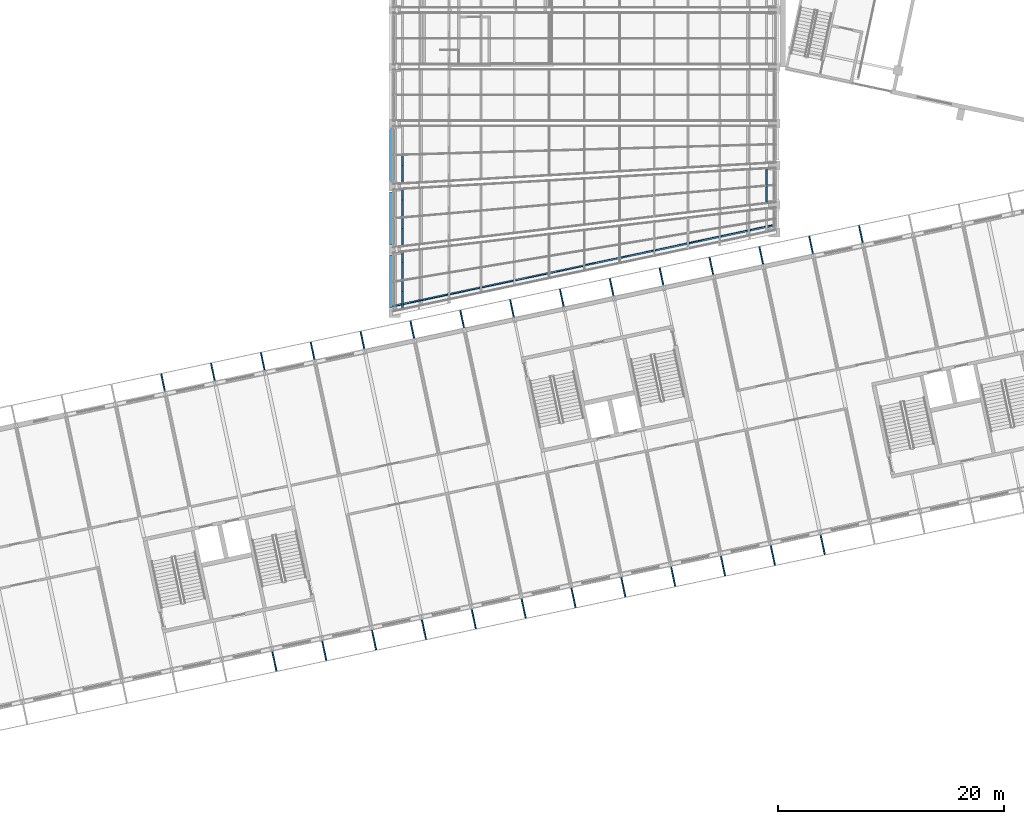
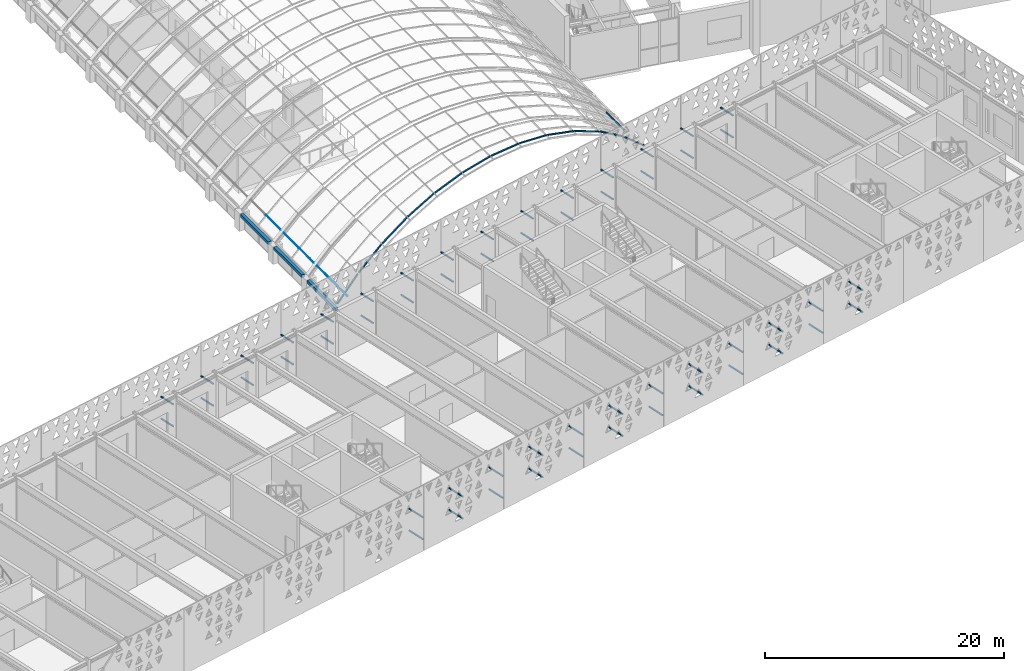
# One storey, part 153 of 182: 76 discrete accessories.
"""IFC4 building model written with IfcOpenShell, lengths in metres."""

import ifcopenshell
import ifcopenshell.guid

model = None  # the IFC model being written
_history = None  # IfcOwnerHistory: only IFC2X3 demands one
_inside = {}  # id of a spatial element -> (the spatial element, [elements in it])
_under = {}  # id of a project, library or spatial element -> (it, [spatial elements below it])
_declared = {}  # id of a project -> (the project, [libraries it declares])
_typed = {}  # id of a type object -> (the type object, [elements of that type])
_made_of = {}  # id of a material, layer set ... -> (it, [elements and type objects made of it])


def new_model(schema):
    """Start an empty IFC model of exactly this schema.

    Asked for "IFC4X3", IfcOpenShell would pick the latest addendum, in which some entities
    have other attributes; the version numbers below select the first issue.
    IFC2X3 requires an IfcOwnerHistory on every rooted entity: one is made here for all.
    """
    global model, _history
    if schema == "IFC4X3":
        model = ifcopenshell.file(schema_version=(4, 3, 0, 0))
    else:
        model = ifcopenshell.file(schema=schema)
    _inside.clear()
    _under.clear()
    _declared.clear()
    _typed.clear()
    _made_of.clear()
    _history = None
    if model.schema == "IFC2X3":
        org = make("IfcOrganization", Name="unknown")
        user = make(
            "IfcPersonAndOrganization",
            ThePerson=make("IfcPerson", FamilyName="unknown"),
            TheOrganization=org,
        )
        app = make(
            "IfcApplication",
            ApplicationDeveloper=org,
            Version="unknown",
            ApplicationFullName="unknown",
            ApplicationIdentifier="unknown",
        )
        _history = make(
            "IfcOwnerHistory",
            OwningUser=user,
            OwningApplication=app,
            ChangeAction="ADDED",
            CreationDate=0,
        )
    return model


def make(cls, **values):
    """One entity of the class cls with the attributes given. An attribute that is None is left unset."""
    return model.create_entity(
        cls, **{name: value for name, value in values.items() if value is not None}
    )


def rooted(cls, **values):
    """An entity with a GlobalId (a new one), such as an element, a storey or a relation."""
    return make(cls, GlobalId=ifcopenshell.guid.new(), OwnerHistory=_history, **values)


def si_unit(unit_type, name, prefix=None):
    """IfcSIUnit, for example si_unit("LENGTHUNIT", "METRE", prefix="MILLI")."""
    return make("IfcSIUnit", UnitType=unit_type, Prefix=prefix, Name=name)


def assignment(units):
    """IfcUnitAssignment: the units of a project."""
    return None if units is None else make("IfcUnitAssignment", Units=units)


def point(xyz):
    """IfcCartesianPoint."""
    return None if xyz is None else make("IfcCartesianPoint", Coordinates=xyz)


def direction(xyz):
    """IfcDirection."""
    return None if xyz is None else make("IfcDirection", DirectionRatios=xyz)


def frame(location, z_axis=None, x_axis=None):
    """IfcAxis2Placement3D, a coordinate frame: its origin and axes. An axis left out is left unset."""
    return make(
        "IfcAxis2Placement3D",
        Location=point(location),
        Axis=direction(z_axis),
        RefDirection=direction(x_axis),
    )


def frame_2d(location, x_axis=None):
    """IfcAxis2Placement2D, a coordinate frame in the plane: its origin and x axis."""
    return make(
        "IfcAxis2Placement2D", Location=point(location), RefDirection=direction(x_axis)
    )


def origin():
    """The frame at (0, 0, 0) with its axes left unset."""
    return frame((0.0, 0.0, 0.0))


def origin_2d():
    """The frame at (0, 0) in the plane with its x axis left unset."""
    return frame_2d((0.0, 0.0))


def place(relative_to, where):
    """IfcLocalPlacement: puts the frame where relative to a parent placement (None: the world)."""
    return make(
        "IfcLocalPlacement", PlacementRelTo=relative_to, RelativePlacement=where
    )


def context(
    kind, dimensions, precision=None, world=None, true_north=None, identifier=None
):
    """IfcGeometricRepresentationContext, for example the 3D "Model" context."""
    return make(
        "IfcGeometricRepresentationContext",
        ContextIdentifier=identifier,
        ContextType=kind,
        CoordinateSpaceDimension=dimensions,
        Precision=precision,
        WorldCoordinateSystem=world,
        TrueNorth=true_north,
    )


def subcontext(parent, identifier, kind, view, scale=None):
    """IfcGeometricRepresentationSubContext, for example "Body" below "Model"."""
    return make(
        "IfcGeometricRepresentationSubContext",
        ContextIdentifier=identifier,
        ContextType=kind,
        ParentContext=parent,
        TargetScale=scale,
        TargetView=view,
    )


def project(units=None, contexts=None):
    """IfcProject with its units and contexts."""
    return rooted(
        "IfcProject",
        Name="project",
        RepresentationContexts=contexts,
        UnitsInContext=assignment(units),
    )


def spatial(cls, under=None, at=None, **own):
    """A site, building, storey or space (cls), placed at a placement, below another one or the project."""
    s = rooted(cls, ObjectPlacement=at, **own)
    if under is not None:
        _under.setdefault(under.id(), (under, []))[1].append(s)
    return s


def polyline(points):
    """IfcPolyline through the points."""
    return make("IfcPolyline", Points=[point(p) for p in points])


def profile(cls, at=None, kind="AREA", **sizes):
    """A parametric profile (cls). Its sizes go by their IFC names, for example OverallWidth=200.0."""
    return make(cls, ProfileType=kind, Position=at, **sizes)


def rectangle(**sizes):
    """IfcRectangleProfileDef."""
    return profile("IfcRectangleProfileDef", **sizes)


def outline(outer, holes=None, kind="AREA"):
    """IfcArbitraryClosedProfileDef: a profile drawn as a closed curve; with holes, ...WithVoids."""
    if holes is None:
        return make("IfcArbitraryClosedProfileDef", ProfileType=kind, OuterCurve=outer)
    return make(
        "IfcArbitraryProfileDefWithVoids",
        ProfileType=kind,
        OuterCurve=outer,
        InnerCurves=holes,
    )


def extrude(swept, where, along, depth):
    """IfcExtrudedAreaSolid: the profile swept, set in the frame where, extruded along a direction by depth."""
    return make(
        "IfcExtrudedAreaSolid",
        SweptArea=swept,
        Position=where,
        ExtrudedDirection=direction(along),
        Depth=depth,
    )


def shape(context_of_items, identifier, shape_type, items):
    """IfcShapeRepresentation: the items that make up one representation, for example the "Body"."""
    return make(
        "IfcShapeRepresentation",
        ContextOfItems=context_of_items,
        RepresentationIdentifier=identifier,
        RepresentationType=shape_type,
        Items=items,
    )


def material(Name=None, Category=None):
    """IfcMaterial."""
    return make("IfcMaterial", Name=Name, Category=Category)


def material_profile(
    of_material, cross_section, Name=None, Category=None, Priority=None
):
    """IfcMaterialProfile: a cross section and its material."""
    return make(
        "IfcMaterialProfile",
        Name=Name,
        Material=of_material,
        Profile=cross_section,
        Priority=Priority,
        Category=Category,
    )


def profile_set(profiles, Name=None, composite=None):
    """IfcMaterialProfileSet."""
    return make(
        "IfcMaterialProfileSet",
        Name=Name,
        MaterialProfiles=profiles,
        CompositeProfile=composite,
    )


def made_of(thing, what):
    """Note that an element or type object is made of a material, layer set ...; save() writes the relation."""
    if what is not None:
        _made_of.setdefault(what.id(), (what, []))[1].append(thing)
    return thing


def type_object(cls, material=None, **own):
    """A type object (cls), such as IfcWallType, which elements share."""
    return made_of(rooted(cls, **own), material)


def element(
    cls,
    number,
    at=None,
    inside=None,
    cuts=None,
    type_object=None,
    material=None,
    context=None,
    identifier="Body",
    shape_type=None,
    held_by="IfcProductDefinitionShape",
    body=None,
    shapes=None,
    **own,
):
    """One element of the class cls, such as IfcWall. Its Tag is "e" and its number.

    at: its placement. inside: the storey or other place that contains it. cuts: it is an
    opening in that element (IfcRelVoidsElement). A single representation is given by context,
    identifier, shape_type and body (its items); several are given by shapes. held_by: the class
    of the entity that holds the representations. save() writes the other relations.
    """
    e = rooted(cls, Tag="e%d" % number, ObjectPlacement=at, **own)
    if body is not None:
        shapes = [shape(context, identifier, shape_type, body)]
    if shapes is not None:
        e.Representation = make(held_by, Representations=shapes)
    if inside is not None:
        _inside.setdefault(inside.id(), (inside, []))[1].append(e)
    if cuts is not None:
        rooted(
            "IfcRelVoidsElement", RelatingBuildingElement=cuts, RelatedOpeningElement=e
        )
    if type_object is not None:
        _typed.setdefault(type_object.id(), (type_object, []))[1].append(e)
    return made_of(e, material)


def aggregate(whole, parts):
    """IfcRelAggregates: a whole, such as a stair, and the parts it consists of."""
    return rooted("IfcRelAggregates", RelatingObject=whole, RelatedObjects=parts)


def save(model, path):
    """Write the relations noted so far, then the file.

    IfcRelAggregates (storeys below a building ...), IfcRelContainedInSpatialStructure (elements
    in a storey), IfcRelDefinesByType, IfcRelAssociatesMaterial and IfcRelDeclares: one each for
    every whole, place, type object, material and project.
    """
    for whole, parts in _under.values():
        aggregate(whole, parts)
    for where, things in _inside.values():
        rooted(
            "IfcRelContainedInSpatialStructure",
            RelatedElements=things,
            RelatingStructure=where,
        )
    for kind, things in _typed.values():
        rooted("IfcRelDefinesByType", RelatedObjects=things, RelatingType=kind)
    for what, things in _made_of.values():
        rooted("IfcRelAssociatesMaterial", RelatedObjects=things, RelatingMaterial=what)
    for by, libraries in _declared.values():
        rooted("IfcRelDeclares", RelatingContext=by, RelatedDefinitions=libraries)
    model.write(path)


model = new_model("IFC4")

# Units and contexts
model_context = context("Model", 3, precision=1e-05, world=origin(), true_north=direction((0.0, 1.0)))
body_context = subcontext(model_context, "Body", "Model", "MODEL_VIEW")
ifc_project = project(units=[si_unit("LENGTHUNIT", "METRE"), si_unit("AREAUNIT", "SQUARE_METRE"), si_unit("VOLUMEUNIT", "CUBIC_METRE"), si_unit("PLANEANGLEUNIT", "RADIAN"), si_unit("MASSUNIT", "GRAM", prefix="KILO")], contexts=[model_context])

# Site, building, storey
site_placement = place(None, origin())
site = spatial("IfcSite", under=ifc_project, at=site_placement, CompositionType="ELEMENT")
building_placement = place(site_placement, origin())
building = spatial("IfcBuilding", under=site, at=building_placement, Name="Okhra Congress Centre", CompositionType="ELEMENT")
storey_placement = place(building_placement, frame((0.0, 0.0, 7.199951171875)))
storey = spatial("IfcBuildingStorey", under=building, at=storey_placement, Name="L01", CompositionType="ELEMENT", Elevation=7.199951171875)

# Discrete accessories
ifc_material_1 = material(Name="Stainless steel box gutter with self-regulating heating cable", Category="steel")
discrete_accessory_type_1 = type_object("IfcDiscreteAccessoryType", Name="Heated eaves gutter 300x300", PredefinedType="USERDEFINED", material=ifc_material_1)
for number, where, z_axis, x_axis, name in (
    (1, (155.199951171875, 77.039306640625, 1.5), (0.0, 0.0, 1.0), (1.0, 0.0, 0.0), "Heated eaves gutter"),
    (2, (155.199951171875, 82.62353515625, 1.5), (0.0, 0.0, 1.0), (1.0, 0.0, 0.0), "Heated eaves gutter"),
    (3, (155.199951171875, 88.207763671875, 1.5), (0.0, 0.0, 1.0), (1.0, 0.0, 0.0), "Heated eaves gutter"),
):
    element("IfcDiscreteAccessory", number, at=place(storey_placement, frame(where, z_axis=z_axis, x_axis=x_axis)), inside=storey, type_object=discrete_accessory_type_1, Name=name, ObjectType="HEATED GUTTER", PredefinedType="USERDEFINED", context=body_context, shape_type="SweptSolid", body=[
        extrude(rectangle(XDim=0.300048828125, YDim=4.684326171875, at=origin_2d()), origin(), (0.0, 0.0, 1.0), 0.300048828125),
    ])
ifc_material_2 = material(Name="Steel S355J2 outrigger, galvanised", Category="steel")
ifc_material_profile = material_profile(ifc_material_2, rectangle(XDim=0.1201171875, YDim=0.1201171875, at=origin_2d()), Name="Screen outrigger bracket 120x120")
ifc_profile_set = profile_set([ifc_material_profile], Name="Steel S355J2 outrigger, galvanised")
discrete_accessory_type_2 = type_object("IfcDiscreteAccessoryType", Name="Screen outrigger bracket 120x120", PredefinedType="BRACKET", material=ifc_profile_set)
for number, where, z_axis, x_axis, name in (
    (4, (135.205322265625, 67.3408203125, 1.130126953125), (-0.207952044176, 0.978139022493, 0.0), (-0.978139022493, -0.207952044176, 0.0), "Screen outrigger 306"),
    (5, (135.205322265625, 67.3408203125, 3.3701171875), (-0.207952044176, 0.978139022493, 0.0), (-0.978139022493, -0.207952044176, 0.0), "Screen outrigger 307"),
):
    element("IfcDiscreteAccessory", number, at=place(storey_placement, frame(where, z_axis=z_axis, x_axis=x_axis)), inside=storey, type_object=discrete_accessory_type_2, Name=name, PredefinedType="BRACKET", context=body_context, shape_type="SweptSolid", body=[
        extrude(rectangle(XDim=0.1201171875, YDim=0.1201171875, at=origin_2d()), origin(), (0.0, 0.0, 1.0), 1.56494140625),
    ])
for number, where, z_axis, x_axis, name in (
    (6, (144.688232421875, 44.37060546875, 1.130126953125), (0.208017553693, -0.978125092897, 0.0), (0.978125092897, 0.208017553693, 0.0), "Screen outrigger 315"),
    (7, (144.688232421875, 44.37060546875, 3.3701171875), (0.208017553693, -0.978125092897, 0.0), (0.978125092897, 0.208017553693, 0.0), "Screen outrigger 316"),
):
    element("IfcDiscreteAccessory", number, at=place(storey_placement, frame(where, z_axis=z_axis, x_axis=x_axis)), inside=storey, type_object=discrete_accessory_type_2, Name=name, PredefinedType="BRACKET", context=body_context, shape_type="SweptSolid", body=[
        extrude(rectangle(XDim=0.1201171875, YDim=0.1201171875, at=origin_2d()), origin(), (0.0, 0.0, 1.0), 1.76513671875),
    ])
for number, where, z_axis, x_axis, name in (
    (8, (139.60693359375, 68.2763671875, 1.130126953125), (-0.207952044176, 0.978139022493, 0.0), (-0.978139022493, -0.207952044176, 0.0), "Screen outrigger 325"),
    (9, (139.60693359375, 68.2763671875, 3.3701171875), (-0.207952044176, 0.978139022493, 0.0), (-0.978139022493, -0.207952044176, 0.0), "Screen outrigger 326"),
):
    element("IfcDiscreteAccessory", number, at=place(storey_placement, frame(where, z_axis=z_axis, x_axis=x_axis)), inside=storey, type_object=discrete_accessory_type_2, Name=name, PredefinedType="BRACKET", context=body_context, shape_type="SweptSolid", body=[
        extrude(rectangle(XDim=0.1201171875, YDim=0.1201171875, at=origin_2d()), origin(), (0.0, 0.0, 1.0), 1.56494140625),
    ])
for number, where, z_axis, x_axis, name in (
    (10, (149.090087890625, 45.30615234375, 1.130126953125), (0.207885223274, -0.97815322621, 0.0), (0.97815322621, 0.207885223274, 0.0), "Screen outrigger 334"),
    (11, (149.090087890625, 45.30615234375, 3.3701171875), (0.207885223274, -0.97815322621, 0.0), (0.97815322621, 0.207885223274, 0.0), "Screen outrigger 335"),
):
    element("IfcDiscreteAccessory", number, at=place(storey_placement, frame(where, z_axis=z_axis, x_axis=x_axis)), inside=storey, type_object=discrete_accessory_type_2, Name=name, PredefinedType="BRACKET", context=body_context, shape_type="SweptSolid", body=[
        extrude(rectangle(XDim=0.1201171875, YDim=0.1201171875, at=origin_2d()), origin(), (0.0, 0.0, 1.0), 1.76513671875),
    ])
for number, where, z_axis, x_axis, name in (
    (12, (144.008544921875, 69.2119140625, 1.130126953125), (-0.207771073578, 0.978177479287, 0.0), (-0.978177479287, -0.207771073578, 0.0), "Screen outrigger 344"),
    (13, (144.008544921875, 69.2119140625, 3.3701171875), (-0.207771073578, 0.978177479287, 0.0), (-0.978177479287, -0.207771073578, 0.0), "Screen outrigger 345"),
):
    element("IfcDiscreteAccessory", number, at=place(storey_placement, frame(where, z_axis=z_axis, x_axis=x_axis)), inside=storey, type_object=discrete_accessory_type_2, Name=name, PredefinedType="BRACKET", context=body_context, shape_type="SweptSolid", body=[
        extrude(rectangle(XDim=0.1201171875, YDim=0.1201171875, at=origin_2d()), origin(), (0.0, 0.0, 1.0), 1.565185546875),
    ])
for number, where, z_axis, x_axis, name in (
    (14, (153.49169921875, 46.24169921875, 1.130126953125), (0.207913352163, -0.978147247602, 0.0), (0.978147247602, 0.207913352163, 0.0), "Screen outrigger 353"),
    (15, (153.49169921875, 46.24169921875, 3.3701171875), (0.207913352163, -0.978147247602, 0.0), (0.978147247602, 0.207913352163, 0.0), "Screen outrigger 354"),
):
    element("IfcDiscreteAccessory", number, at=place(storey_placement, frame(where, z_axis=z_axis, x_axis=x_axis)), inside=storey, type_object=discrete_accessory_type_2, Name=name, PredefinedType="BRACKET", context=body_context, shape_type="SweptSolid", body=[
        extrude(rectangle(XDim=0.1201171875, YDim=0.1201171875, at=origin_2d()), origin(), (0.0, 0.0, 1.0), 1.764892578125),
    ])
for number, where, z_axis, x_axis, name in (
    (16, (148.410400390625, 70.147705078125, 1.130126953125), (-0.207952044176, 0.978139022493, 0.0), (-0.978139022493, -0.207952044176, 0.0), "Screen outrigger 363"),
    (17, (148.410400390625, 70.147705078125, 3.3701171875), (-0.207952044176, 0.978139022493, 0.0), (-0.978139022493, -0.207952044176, 0.0), "Screen outrigger 364"),
):
    element("IfcDiscreteAccessory", number, at=place(storey_placement, frame(where, z_axis=z_axis, x_axis=x_axis)), inside=storey, type_object=discrete_accessory_type_2, Name=name, PredefinedType="BRACKET", context=body_context, shape_type="SweptSolid", body=[
        extrude(rectangle(XDim=0.1201171875, YDim=0.1201171875, at=origin_2d()), origin(), (0.0, 0.0, 1.0), 1.56494140625),
    ])
for number, where, z_axis, x_axis, name in (
    (18, (157.893310546875, 47.17724609375, 1.130126953125), (0.207913352163, -0.978147247602, 0.0), (0.978147247602, 0.207913352163, 0.0), "Screen outrigger 372"),
    (19, (157.893310546875, 47.17724609375, 3.3701171875), (0.207913352163, -0.978147247602, 0.0), (0.978147247602, 0.207913352163, 0.0), "Screen outrigger 373"),
):
    element("IfcDiscreteAccessory", number, at=place(storey_placement, frame(where, z_axis=z_axis, x_axis=x_axis)), inside=storey, type_object=discrete_accessory_type_2, Name=name, PredefinedType="BRACKET", context=body_context, shape_type="SweptSolid", body=[
        extrude(rectangle(XDim=0.1201171875, YDim=0.1201171875, at=origin_2d()), origin(), (0.0, 0.0, 1.0), 1.764892578125),
    ])
for number, where, z_axis, x_axis, name in (
    (20, (152.81201171875, 71.083251953125, 1.130126953125), (-0.207952044176, 0.978139022493, 0.0), (-0.978139022493, -0.207952044176, 0.0), "Screen outrigger 382"),
    (21, (152.81201171875, 71.083251953125, 3.3701171875), (-0.207952044176, 0.978139022493, 0.0), (-0.978139022493, -0.207952044176, 0.0), "Screen outrigger 383"),
):
    element("IfcDiscreteAccessory", number, at=place(storey_placement, frame(where, z_axis=z_axis, x_axis=x_axis)), inside=storey, type_object=discrete_accessory_type_2, Name=name, PredefinedType="BRACKET", context=body_context, shape_type="SweptSolid", body=[
        extrude(rectangle(XDim=0.1201171875, YDim=0.1201171875, at=origin_2d()), origin(), (0.0, 0.0, 1.0), 1.56494140625),
    ])
for number, where, z_axis, x_axis, name in (
    (22, (162.294921875, 48.11279296875, 1.130126953125), (0.207913352163, -0.978147247602, 0.0), (0.978147247602, 0.207913352163, 0.0), "Screen outrigger 391"),
    (23, (162.294921875, 48.11279296875, 3.3701171875), (0.207913352163, -0.978147247602, 0.0), (0.978147247602, 0.207913352163, 0.0), "Screen outrigger 392"),
):
    element("IfcDiscreteAccessory", number, at=place(storey_placement, frame(where, z_axis=z_axis, x_axis=x_axis)), inside=storey, type_object=discrete_accessory_type_2, Name=name, PredefinedType="BRACKET", context=body_context, shape_type="SweptSolid", body=[
        extrude(rectangle(XDim=0.1201171875, YDim=0.1201171875, at=origin_2d()), origin(), (0.0, 0.0, 1.0), 1.764892578125),
    ])
for number, where, z_axis, x_axis, name in (
    (24, (157.213623046875, 72.018798828125, 1.130126953125), (-0.207952044176, 0.978139022493, 0.0), (-0.978139022493, -0.207952044176, 0.0), "Screen outrigger 401"),
    (25, (157.213623046875, 72.018798828125, 3.3701171875), (-0.207952044176, 0.978139022493, 0.0), (-0.978139022493, -0.207952044176, 0.0), "Screen outrigger 402"),
):
    element("IfcDiscreteAccessory", number, at=place(storey_placement, frame(where, z_axis=z_axis, x_axis=x_axis)), inside=storey, type_object=discrete_accessory_type_2, Name=name, PredefinedType="BRACKET", context=body_context, shape_type="SweptSolid", body=[
        extrude(rectangle(XDim=0.1201171875, YDim=0.1201171875, at=origin_2d()), origin(), (0.0, 0.0, 1.0), 1.56494140625),
    ])
for number, where, z_axis, x_axis, name in (
    (26, (166.69677734375, 49.048583984375, 1.130126953125), (0.207885223274, -0.97815322621, 0.0), (0.97815322621, 0.207885223274, 0.0), "Screen outrigger 410"),
    (27, (166.69677734375, 49.048583984375, 3.3701171875), (0.207885223274, -0.97815322621, 0.0), (0.97815322621, 0.207885223274, 0.0), "Screen outrigger 411"),
):
    element("IfcDiscreteAccessory", number, at=place(storey_placement, frame(where, z_axis=z_axis, x_axis=x_axis)), inside=storey, type_object=discrete_accessory_type_2, Name=name, PredefinedType="BRACKET", context=body_context, shape_type="SweptSolid", body=[
        extrude(rectangle(XDim=0.1201171875, YDim=0.1201171875, at=origin_2d()), origin(), (0.0, 0.0, 1.0), 1.76513671875),
    ])
for number, where, z_axis, x_axis, name in (
    (28, (161.615234375, 72.954345703125, 1.130126953125), (-0.207771073578, 0.978177479287, 0.0), (-0.978177479287, -0.207771073578, 0.0), "Screen outrigger 420"),
    (29, (161.615234375, 72.954345703125, 3.3701171875), (-0.207771073578, 0.978177479287, 0.0), (-0.978177479287, -0.207771073578, 0.0), "Screen outrigger 421"),
):
    element("IfcDiscreteAccessory", number, at=place(storey_placement, frame(where, z_axis=z_axis, x_axis=x_axis)), inside=storey, type_object=discrete_accessory_type_2, Name=name, PredefinedType="BRACKET", context=body_context, shape_type="SweptSolid", body=[
        extrude(rectangle(XDim=0.1201171875, YDim=0.1201171875, at=origin_2d()), origin(), (0.0, 0.0, 1.0), 1.565185546875),
    ])
for number, where, z_axis, x_axis, name in (
    (30, (171.098388671875, 49.984130859375, 1.130126953125), (0.207885223274, -0.97815322621, 0.0), (0.97815322621, 0.207885223274, 0.0), "Screen outrigger 429"),
    (31, (171.098388671875, 49.984130859375, 3.3701171875), (0.207885223274, -0.97815322621, 0.0), (0.97815322621, 0.207885223274, 0.0), "Screen outrigger 430"),
):
    element("IfcDiscreteAccessory", number, at=place(storey_placement, frame(where, z_axis=z_axis, x_axis=x_axis)), inside=storey, type_object=discrete_accessory_type_2, Name=name, PredefinedType="BRACKET", context=body_context, shape_type="SweptSolid", body=[
        extrude(rectangle(XDim=0.1201171875, YDim=0.1201171875, at=origin_2d()), origin(), (0.0, 0.0, 1.0), 1.76513671875),
    ])
for number, where, z_axis, x_axis, name in (
    (32, (166.01708984375, 73.89013671875, 1.130126953125), (-0.207952044176, 0.978139022493, 0.0), (-0.978139022493, -0.207952044176, 0.0), "Screen outrigger 439"),
    (33, (166.01708984375, 73.89013671875, 3.3701171875), (-0.207952044176, 0.978139022493, 0.0), (-0.978139022493, -0.207952044176, 0.0), "Screen outrigger 440"),
):
    element("IfcDiscreteAccessory", number, at=place(storey_placement, frame(where, z_axis=z_axis, x_axis=x_axis)), inside=storey, type_object=discrete_accessory_type_2, Name=name, PredefinedType="BRACKET", context=body_context, shape_type="SweptSolid", body=[
        extrude(rectangle(XDim=0.1201171875, YDim=0.1201171875, at=origin_2d()), origin(), (0.0, 0.0, 1.0), 1.56494140625),
    ])
for number, where, z_axis, x_axis, name in (
    (34, (175.5, 50.919677734375, 1.130126953125), (0.207913352163, -0.978147247602, 0.0), (0.978147247602, 0.207913352163, 0.0), "Screen outrigger 449"),
    (35, (175.5, 50.919677734375, 3.3701171875), (0.207913352163, -0.978147247602, 0.0), (0.978147247602, 0.207913352163, 0.0), "Screen outrigger 450"),
):
    element("IfcDiscreteAccessory", number, at=place(storey_placement, frame(where, z_axis=z_axis, x_axis=x_axis)), inside=storey, type_object=discrete_accessory_type_2, Name=name, PredefinedType="BRACKET", context=body_context, shape_type="SweptSolid", body=[
        extrude(rectangle(XDim=0.1201171875, YDim=0.1201171875, at=origin_2d()), origin(), (0.0, 0.0, 1.0), 1.764892578125),
    ])
for number, where, z_axis, x_axis, name in (
    (36, (170.418701171875, 74.82568359375, 1.130126953125), (-0.207952044176, 0.978139022493, 0.0), (-0.978139022493, -0.207952044176, 0.0), "Screen outrigger 459"),
    (37, (170.418701171875, 74.82568359375, 3.3701171875), (-0.207952044176, 0.978139022493, 0.0), (-0.978139022493, -0.207952044176, 0.0), "Screen outrigger 460"),
):
    element("IfcDiscreteAccessory", number, at=place(storey_placement, frame(where, z_axis=z_axis, x_axis=x_axis)), inside=storey, type_object=discrete_accessory_type_2, Name=name, PredefinedType="BRACKET", context=body_context, shape_type="SweptSolid", body=[
        extrude(rectangle(XDim=0.1201171875, YDim=0.1201171875, at=origin_2d()), origin(), (0.0, 0.0, 1.0), 1.56494140625),
    ])
for number, where, z_axis, x_axis, name in (
    (38, (179.901611328125, 51.855224609375, 1.130126953125), (0.207913352163, -0.978147247602, 0.0), (0.978147247602, 0.207913352163, 0.0), "Screen outrigger 469"),
    (39, (179.901611328125, 51.855224609375, 3.3701171875), (0.207913352163, -0.978147247602, 0.0), (0.978147247602, 0.207913352163, 0.0), "Screen outrigger 470"),
):
    element("IfcDiscreteAccessory", number, at=place(storey_placement, frame(where, z_axis=z_axis, x_axis=x_axis)), inside=storey, type_object=discrete_accessory_type_2, Name=name, PredefinedType="BRACKET", context=body_context, shape_type="SweptSolid", body=[
        extrude(rectangle(XDim=0.1201171875, YDim=0.1201171875, at=origin_2d()), origin(), (0.0, 0.0, 1.0), 1.764892578125),
    ])
for number, where, z_axis, x_axis, name in (
    (40, (174.8203125, 75.76123046875, 1.130126953125), (-0.207952044176, 0.978139022493, 0.0), (-0.978139022493, -0.207952044176, 0.0), "Screen outrigger 479"),
    (41, (174.8203125, 75.76123046875, 3.3701171875), (-0.207952044176, 0.978139022493, 0.0), (-0.978139022493, -0.207952044176, 0.0), "Screen outrigger 480"),
):
    element("IfcDiscreteAccessory", number, at=place(storey_placement, frame(where, z_axis=z_axis, x_axis=x_axis)), inside=storey, type_object=discrete_accessory_type_2, Name=name, PredefinedType="BRACKET", context=body_context, shape_type="SweptSolid", body=[
        extrude(rectangle(XDim=0.1201171875, YDim=0.1201171875, at=origin_2d()), origin(), (0.0, 0.0, 1.0), 1.56494140625),
    ])
for number, where, z_axis, x_axis, name in (
    (42, (184.30322265625, 52.791015625, 1.130126953125), (0.208017553693, -0.978125092897, 0.0), (0.978125092897, 0.208017553693, 0.0), "Screen outrigger 489"),
    (43, (184.30322265625, 52.791015625, 3.3701171875), (0.208017553693, -0.978125092897, 0.0), (0.978125092897, 0.208017553693, 0.0), "Screen outrigger 490"),
):
    element("IfcDiscreteAccessory", number, at=place(storey_placement, frame(where, z_axis=z_axis, x_axis=x_axis)), inside=storey, type_object=discrete_accessory_type_2, Name=name, PredefinedType="BRACKET", context=body_context, shape_type="SweptSolid", body=[
        extrude(rectangle(XDim=0.1201171875, YDim=0.1201171875, at=origin_2d()), origin(), (0.0, 0.0, 1.0), 1.76513671875),
    ])
for number, where, z_axis, x_axis, name in (
    (44, (179.221923828125, 76.69677734375, 1.130126953125), (-0.207952044176, 0.978139022493, 0.0), (-0.978139022493, -0.207952044176, 0.0), "Screen outrigger 500"),
    (45, (179.221923828125, 76.69677734375, 3.3701171875), (-0.207952044176, 0.978139022493, 0.0), (-0.978139022493, -0.207952044176, 0.0), "Screen outrigger 501"),
):
    element("IfcDiscreteAccessory", number, at=place(storey_placement, frame(where, z_axis=z_axis, x_axis=x_axis)), inside=storey, type_object=discrete_accessory_type_2, Name=name, PredefinedType="BRACKET", context=body_context, shape_type="SweptSolid", body=[
        extrude(rectangle(XDim=0.1201171875, YDim=0.1201171875, at=origin_2d()), origin(), (0.0, 0.0, 1.0), 1.56494140625),
    ])
for number, where, z_axis, x_axis, name in (
    (46, (188.705078125, 53.7265625, 1.130126953125), (0.207885223274, -0.97815322621, 0.0), (0.97815322621, 0.207885223274, 0.0), "Screen outrigger 510"),
    (47, (188.705078125, 53.7265625, 3.3701171875), (0.207885223274, -0.97815322621, 0.0), (0.97815322621, 0.207885223274, 0.0), "Screen outrigger 511"),
):
    element("IfcDiscreteAccessory", number, at=place(storey_placement, frame(where, z_axis=z_axis, x_axis=x_axis)), inside=storey, type_object=discrete_accessory_type_2, Name=name, PredefinedType="BRACKET", context=body_context, shape_type="SweptSolid", body=[
        extrude(rectangle(XDim=0.1201171875, YDim=0.1201171875, at=origin_2d()), origin(), (0.0, 0.0, 1.0), 1.76513671875),
    ])
for number, where, z_axis, x_axis, name in (
    (48, (183.62353515625, 77.632568359375, 1.130126953125), (-0.207802780084, 0.978170744088, 0.0), (-0.978170744088, -0.207802780084, 0.0), "Screen outrigger 521"),
    (49, (183.62353515625, 77.632568359375, 3.3701171875), (-0.207802780084, 0.978170744088, 0.0), (-0.978170744088, -0.207802780084, 0.0), "Screen outrigger 522"),
):
    element("IfcDiscreteAccessory", number, at=place(storey_placement, frame(where, z_axis=z_axis, x_axis=x_axis)), inside=storey, type_object=discrete_accessory_type_2, Name=name, PredefinedType="BRACKET", context=body_context, shape_type="SweptSolid", body=[
        extrude(rectangle(XDim=0.1201171875, YDim=0.1201171875, at=origin_2d()), origin(), (0.0, 0.0, 1.0), 1.56494140625),
    ])
for number, where, z_axis, x_axis, name in (
    (50, (193.106689453125, 54.662109375, 1.130126953125), (0.207913352163, -0.978147247602, 0.0), (0.978147247602, 0.207913352163, 0.0), "Screen outrigger 531"),
    (51, (193.106689453125, 54.662109375, 3.3701171875), (0.207913352163, -0.978147247602, 0.0), (0.978147247602, 0.207913352163, 0.0), "Screen outrigger 532"),
):
    element("IfcDiscreteAccessory", number, at=place(storey_placement, frame(where, z_axis=z_axis, x_axis=x_axis)), inside=storey, type_object=discrete_accessory_type_2, Name=name, PredefinedType="BRACKET", context=body_context, shape_type="SweptSolid", body=[
        extrude(rectangle(XDim=0.1201171875, YDim=0.1201171875, at=origin_2d()), origin(), (0.0, 0.0, 1.0), 1.764892578125),
    ])
for number, where, z_axis, x_axis, name in (
    (52, (188.025390625, 78.568115234375, 1.130126953125), (-0.207952044176, 0.978139022493, 0.0), (-0.978139022493, -0.207952044176, 0.0), "Screen outrigger 542"),
    (53, (188.025390625, 78.568115234375, 3.3701171875), (-0.207952044176, 0.978139022493, 0.0), (-0.978139022493, -0.207952044176, 0.0), "Screen outrigger 543"),
    (54, (192.427001953125, 79.503662109375, 1.130126953125), (-0.207952044176, 0.978139022493, 0.0), (-0.978139022493, -0.207952044176, 0.0), "Screen outrigger 563"),
    (55, (192.427001953125, 79.503662109375, 3.3701171875), (-0.207952044176, 0.978139022493, 0.0), (-0.978139022493, -0.207952044176, 0.0), "Screen outrigger 564"),
    (56, (196.82861328125, 80.439208984375, 1.130126953125), (-0.207952044176, 0.978139022493, 0.0), (-0.978139022493, -0.207952044176, 0.0), "Screen outrigger 584"),
    (57, (196.82861328125, 80.439208984375, 3.3701171875), (-0.207952044176, 0.978139022493, 0.0), (-0.978139022493, -0.207952044176, 0.0), "Screen outrigger 585"),
):
    element("IfcDiscreteAccessory", number, at=place(storey_placement, frame(where, z_axis=z_axis, x_axis=x_axis)), inside=storey, type_object=discrete_accessory_type_2, Name=name, PredefinedType="BRACKET", context=body_context, shape_type="SweptSolid", body=[
        extrude(rectangle(XDim=0.1201171875, YDim=0.1201171875, at=origin_2d()), origin(), (0.0, 0.0, 1.0), 1.56494140625),
    ])
ifc_material_3 = material(Name="Stainless steel snow retention bar clamped to the standing seams", Category="steel")
discrete_accessory_type_3 = type_object("IfcDiscreteAccessoryType", Name="Snow guard bar 40x120", PredefinedType="USERDEFINED", material=ifc_material_3)
for number, where, z_axis, x_axis, name in (
    (58, (156.125, 74.638671875, 2.74560546875), (-0.666258670845, 0.0, 0.745720714157), (0.745720714157, 0.0, 0.666258670845), "Snow guard bar"),
    (59, (156.125, 77.185546875, 2.74560546875), (-0.666258670845, 0.0, 0.745720714157), (0.745720714157, 0.0, 0.666258670845), "Snow guard bar"),
):
    element("IfcDiscreteAccessory", number, at=place(storey_placement, frame(where, z_axis=z_axis, x_axis=x_axis)), inside=storey, type_object=discrete_accessory_type_3, Name=name, ObjectType="SNOW GUARD", PredefinedType="USERDEFINED", context=body_context, shape_type="SweptSolid", body=[
        extrude(outline(polyline([(0.0, 0.0), (0.03994143609603103, 0.0), (0.03994143609603103, 2.4270019531250004), (0.0, 2.4270019531250004), (0.0, 0.0)])), origin(), (0.0, 0.0, -1.0), 0.1201171875),
    ])
discrete_accessory_1_placement = place(storey_placement, frame((156.125, 80.201904296875, 2.74560546875), z_axis=(-0.666258670845, 0.0, 0.745720714157), x_axis=(0.745720714157, 0.0, 0.666258670845)))
element("IfcDiscreteAccessory", 60, at=discrete_accessory_1_placement, inside=storey, type_object=discrete_accessory_type_3, Name="Snow guard bar", ObjectType="SNOW GUARD", PredefinedType="USERDEFINED", context=body_context, shape_type="SweptSolid", body=[
    extrude(outline(polyline([(0.0, 0.0), (0.03994143609603103, 0.0), (0.03994143609603103, 2.41796875), (0.0, 2.41796875), (0.0, 0.0)])), origin(), (0.0, 0.0, -1.0), 0.1201171875),
])
discrete_accessory_2_placement = place(storey_placement, frame((156.125, 82.739990234375, 2.74560546875), z_axis=(-0.666258670845, 0.0, 0.745720714157), x_axis=(0.745720714157, 0.0, 0.666258670845)))
element("IfcDiscreteAccessory", 61, at=discrete_accessory_2_placement, inside=storey, type_object=discrete_accessory_type_3, Name="Snow guard bar", ObjectType="SNOW GUARD", PredefinedType="USERDEFINED", context=body_context, shape_type="SweptSolid", body=[
    extrude(outline(polyline([(0.0, 0.0), (0.03994143609603103, 0.0), (0.03994143609603103, 2.4182128906250004), (0.0, 2.4182128906250004), (0.0, 0.0)])), origin(), (0.0, 0.0, -1.0), 0.1201171875),
])
for number, where, z_axis, x_axis, name in (
    (62, (188.34521484375, 84.018798828125, 2.772216796875), (0.666258670845, 0.0, 0.745720714157), (0.745720714157, 0.0, -0.666258670845), "Snow guard bar"),
    (63, (188.34521484375, 85.5546875, 2.772216796875), (0.666258670845, 0.0, 0.745720714157), (0.745720714157, 0.0, -0.666258670845), "Snow guard bar"),
):
    element("IfcDiscreteAccessory", number, at=place(storey_placement, frame(where, z_axis=z_axis, x_axis=x_axis)), inside=storey, type_object=discrete_accessory_type_3, Name=name, ObjectType="SNOW GUARD", PredefinedType="USERDEFINED", context=body_context, shape_type="SweptSolid", body=[
        extrude(outline(polyline([(0.0, 0.0), (0.03994143609603103, 0.0), (0.03994143609603103, 1.4157714843750002), (0.0, 1.4157714843750002), (0.0, 0.0)])), origin(), (0.0, 0.0, -1.0), 0.1201171875),
    ])
discrete_accessory_3_placement = place(storey_placement, frame((156.125, 85.7451171875, 2.74560546875), z_axis=(-0.666258670845, 0.0, 0.745720714157), x_axis=(0.745720714157, 0.0, 0.666258670845)))
element("IfcDiscreteAccessory", 64, at=discrete_accessory_3_placement, inside=storey, type_object=discrete_accessory_type_3, Name="Snow guard bar", ObjectType="SNOW GUARD", PredefinedType="USERDEFINED", context=body_context, shape_type="SweptSolid", body=[
    extrude(outline(polyline([(0.0, 0.0), (0.03994143609603103, 0.0), (0.03994143609603103, 2.4208984375), (0.0, 2.4208984375), (0.0, 0.0)])), origin(), (0.0, 0.0, -1.0), 0.1201171875),
])
discrete_accessory_4_placement = place(storey_placement, frame((155.32177734375, 74.80615234375, 2.05712890625), z_axis=(-0.663698251563, 0.0, 0.748000421706), x_axis=(0.738719349674, 0.157040542712, 0.655463187648)))
element("IfcDiscreteAccessory", 65, at=discrete_accessory_4_placement, inside=storey, type_object=discrete_accessory_type_3, Name="Snow guard bar against the meeting box", ObjectType="SNOW GUARD", PredefinedType="USERDEFINED", context=body_context, shape_type="SweptSolid", body=[
    extrude(outline(polyline([(0.0, 0.0), (3.067293609711455, 5.551115123125783e-17), (3.0892624161015343, 0.13815681293463045), (0.021968806390079032, 0.13815681293463036), (0.0, 0.0)])), origin(), (0.0, 0.0, -1.0), 0.1201171875),
])
discrete_accessory_5_placement = place(storey_placement, frame((157.678955078125, 75.3046875, 4.138427734375), z_axis=(-0.559434095134, 0.0, 0.828874835667), x_axis=(0.816301717476, 0.173515709296, 0.550948096169)))
element("IfcDiscreteAccessory", 66, at=discrete_accessory_5_placement, inside=storey, type_object=discrete_accessory_type_3, Name="Snow guard bar against the meeting box", ObjectType="SNOW GUARD", PredefinedType="USERDEFINED", context=body_context, shape_type="SweptSolid", body=[
    extrude(outline(polyline([(0.0, 0.0), (3.0757526705467595, 2.7755575615628914e-17), (3.100026230465411, 0.1377705618168659), (0.02427355991865154, 0.1377705618168659), (0.0, 0.0)])), origin(), (0.0, 0.0, -1.0), 0.1201171875),
])
discrete_accessory_6_placement = place(storey_placement, frame((160.29345703125, 75.857421875, 5.884521484375), z_axis=(-0.4455358017, 0.0, 0.895264122706), x_axis=(0.879471817124, 0.186998645554, 0.43767662657)))
element("IfcDiscreteAccessory", 67, at=discrete_accessory_6_placement, inside=storey, type_object=discrete_accessory_type_3, Name="Snow guard bar against the meeting box", ObjectType="SNOW GUARD", PredefinedType="USERDEFINED", context=body_context, shape_type="SweptSolid", body=[
    extrude(outline(polyline([(0.0, 0.0), (3.082460912578852, 5.551115123125783e-17), (3.108620635211266, 0.13742489703927158), (0.026205376598614015, 0.13766473106551808), (0.0, 0.0)])), origin(), (0.0, 0.0, -1.0), 0.1201171875),
])
discrete_accessory_7_placement = place(storey_placement, frame((163.11083984375, 76.453369140625, 7.2783203125), z_axis=(-0.323885219657, 0.0, 0.94609638224), x_axis=(0.927514831955, 0.19721744552, 0.31752403954)))
element("IfcDiscreteAccessory", 68, at=discrete_accessory_7_placement, inside=storey, type_object=discrete_accessory_type_3, Name="Snow guard bar against the meeting box", ObjectType="SNOW GUARD", PredefinedType="USERDEFINED", context=body_context, shape_type="SweptSolid", body=[
    extrude(outline(polyline([(0.0, 0.0), (3.088625642472207, 8.326672684688674e-17), (3.1162148993771837, 0.13714505575444721), (0.02763740569538715, 0.13738440140148803), (0.0, 0.0)])), origin(), (0.0, 0.0, -1.0), 0.1201171875),
])
discrete_accessory_8_placement = place(storey_placement, frame((166.08740234375, 77.0830078125, 8.289306640625), z_axis=(-0.196658813215, 0.0, 0.980471983886), x_axis=(0.959844166262, 0.204045819884, 0.192521375125)))
element("IfcDiscreteAccessory", 69, at=discrete_accessory_8_placement, inside=storey, type_object=discrete_accessory_type_3, Name="Snow guard bar against the meeting box", ObjectType="SNOW GUARD", PredefinedType="USERDEFINED", context=body_context, shape_type="SweptSolid", body=[
    extrude(outline(polyline([(0.0, 0.0), (3.0929499853711087, -1.0061396160665481e-16), (3.121544297044294, 0.13718842983995871), (0.028544495799190675, 0.13694942560678816), (0.0, 0.0)])), origin(), (0.0, 0.0, -1.0), 0.1201171875),
])
for number, where, z_axis, x_axis, name in (
    (70, (169.1708984375, 77.735107421875, 8.89990234375), (-0.065957072603, 0.0, 0.99782246145), (0.976099645051, 0.207524700293, 0.064521172497), "Snow guard bar against the meeting box"),
    (71, (172.307861328125, 78.398681640625, 9.099609375), (0.065957072603, 0.0, 0.99782246145), (0.976099645051, 0.207524700293, -0.064521172497), "Snow guard bar against the meeting box"),
):
    element("IfcDiscreteAccessory", number, at=place(storey_placement, frame(where, z_axis=z_axis, x_axis=x_axis)), inside=storey, type_object=discrete_accessory_type_3, Name=name, ObjectType="SNOW GUARD", PredefinedType="USERDEFINED", context=body_context, shape_type="SweptSolid", body=[
        extrude(outline(polyline([(0.0, 0.0), (3.095217019793613, 8.673617379884035e-19), (3.1242988503522753, 0.13708591128695113), (0.029081830558662536, 0.13708591128695116), (0.0, 0.0)])), origin(), (0.0, 0.0, -1.0), 0.1201171875),
    ])
discrete_accessory_9_placement = place(storey_placement, frame((175.44384765625, 79.06201171875, 8.884765625), z_axis=(0.196658813215, 0.0, 0.980471983886), x_axis=(0.959828704141, 0.204121466193, -0.192518273799)))
element("IfcDiscreteAccessory", 72, at=discrete_accessory_9_placement, inside=storey, type_object=discrete_accessory_type_3, Name="Snow guard bar against the meeting box", ObjectType="SNOW GUARD", PredefinedType="USERDEFINED", context=body_context, shape_type="SweptSolid", body=[
    extrude(outline(polyline([(0.0, 0.0), (3.092999810479347, -6.938893903907228e-18), (3.1215548886357536, 0.1369472194896294), (0.028604912498738973, 0.13718621987268287), (0.0, 0.0)])), origin(), (0.0, 0.0, -1.0), 0.1201171875),
])
discrete_accessory_10_placement = place(storey_placement, frame((178.5244140625, 79.7138671875, 8.259033203125), z_axis=(0.323885219657, 0.0, 0.94609638224), x_axis=(0.927529288486, 0.197141473111, -0.317528988567)))
element("IfcDiscreteAccessory", 73, at=discrete_accessory_10_placement, inside=storey, type_object=discrete_accessory_type_3, Name="Snow guard bar against the meeting box", ObjectType="SNOW GUARD", PredefinedType="USERDEFINED", context=body_context, shape_type="SweptSolid", body=[
    extrude(outline(polyline([(0.0, 0.0), (3.0885775029557005, 8.326672684688674e-17), (3.116204262127009, 0.1373865427169165), (0.027578628928849973, 0.13714719333936087), (0.0, 0.0)])), origin(), (0.0, 0.0, -1.0), 0.1201171875),
])
discrete_accessory_11_placement = place(storey_placement, frame((181.49560546875, 80.34228515625, 7.233642578125), z_axis=(0.4455358017, 0.0, 0.895264122706), x_axis=(0.879471817124, 0.186998645554, -0.43767662657)))
element("IfcDiscreteAccessory", 74, at=discrete_accessory_11_placement, inside=storey, type_object=discrete_accessory_type_3, Name="Snow guard bar against the meeting box", ObjectType="SNOW GUARD", PredefinedType="USERDEFINED", context=body_context, shape_type="SweptSolid", body=[
    extrude(outline(polyline([(0.0, 0.0), (3.082460912578852, 5.551115123125783e-17), (3.108620635211266, 0.13742489703927158), (0.026205376598614015, 0.13766473106551808), (0.0, 0.0)])), origin(), (0.0, 0.0, -1.0), 0.1201171875),
])
discrete_accessory_12_placement = place(storey_placement, frame((184.310302734375, 80.93798828125, 5.8330078125), z_axis=(0.559434095134, 0.0, 0.828874835667), x_axis=(0.816301717476, 0.173515709296, -0.550948096169)))
element("IfcDiscreteAccessory", 75, at=discrete_accessory_12_placement, inside=storey, type_object=discrete_accessory_type_3, Name="Snow guard bar against the meeting box", ObjectType="SNOW GUARD", PredefinedType="USERDEFINED", context=body_context, shape_type="SweptSolid", body=[
    extrude(outline(polyline([(0.0, 0.0), (3.0757526705467595, 2.7755575615628914e-17), (3.100026230465411, 0.1377705618168659), (0.02427355991865154, 0.1377705618168659), (0.0, 0.0)])), origin(), (0.0, 0.0, -1.0), 0.1201171875),
])
discrete_accessory_13_placement = place(storey_placement, frame((186.912353515625, 81.488525390625, 4.067626953125), z_axis=(0.663698251563, 0.0, 0.748000421706), x_axis=(0.738719349674, 0.157040542712, -0.655463187648)))
element("IfcDiscreteAccessory", 76, at=discrete_accessory_13_placement, inside=storey, type_object=discrete_accessory_type_3, Name="Snow guard bar against the meeting box", ObjectType="SNOW GUARD", PredefinedType="USERDEFINED", context=body_context, shape_type="SweptSolid", body=[
    extrude(outline(polyline([(0.0, 0.0), (3.067293609711455, 5.551115123125783e-17), (3.0892624161015343, 0.13815681293463045), (0.021968806390079032, 0.13815681293463036), (0.0, 0.0)])), origin(), (0.0, 0.0, -1.0), 0.1201171875),
])

save(model, "model.ifc")
